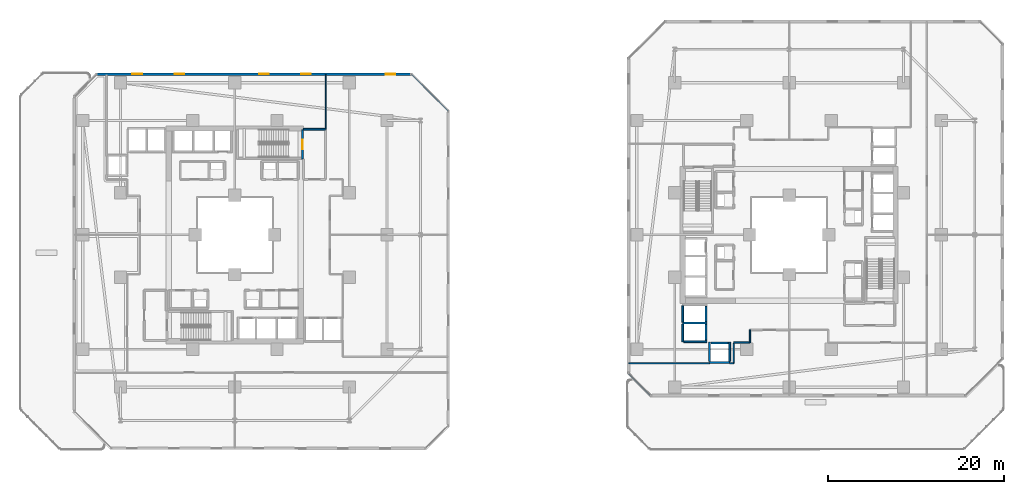
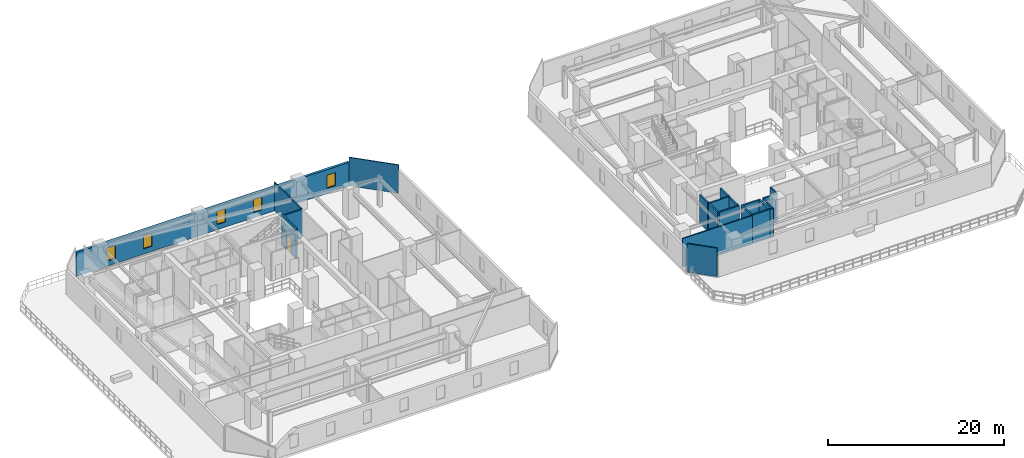
# One storey, part 22 of 33: 21 walls, 5 windows, 1 door, 6 openings.
"""IFC4 building model written with IfcOpenShell, lengths in metres."""

from ifc_helpers import new_model, si_unit, direction, frame, frame_2d, origin, place, context, subcontext, project, spatial, rectangle, extrude, material, layer, layer_set, type_object, element, fill, save


model = new_model("IFC4")

# Units and contexts
model_context = context("Model", 3, precision=1e-05, world=origin(), true_north=direction((0.0, 1.0)))
body_context = subcontext(model_context, "Body", "Model", "MODEL_VIEW")
ifc_project = project(units=[si_unit("LENGTHUNIT", "METRE"), si_unit("AREAUNIT", "SQUARE_METRE"), si_unit("VOLUMEUNIT", "CUBIC_METRE"), si_unit("PLANEANGLEUNIT", "RADIAN"), si_unit("MASSUNIT", "GRAM", prefix="KILO")], contexts=[model_context])

# Site, building, storey
site_placement = place(None, origin())
site = spatial("IfcSite", under=ifc_project, at=site_placement, CompositionType="ELEMENT")
building_placement = place(site_placement, origin())
building = spatial("IfcBuilding", under=site, at=building_placement, Name="Thornwick Lancets Civic Towers", CompositionType="ELEMENT")
storey_placement = place(building_placement, frame((0.0, 0.0, 49.5)))
storey = spatial("IfcBuildingStorey", under=building, at=storey_placement, Name="L12", CompositionType="ELEMENT", Elevation=49.5)

# Walls
ifc_material_1 = material(Name="Concrete blockwork C40/50", Category="masonry")
ifc_layer_1 = layer(ifc_material_1, 0.199951171875, Name="Concrete blockwork C40/50")
ifc_layer_set_1 = layer_set([ifc_layer_1], Name="Concrete blockwork C40/50")
wall_type_1 = type_object("IfcWallType", Name="WALL_COMP_200", PredefinedType="STANDARD", material=ifc_layer_set_1)
wall_1_placement = place(storey_placement, frame((79.050048828125, 17.1298828125, 0.0), z_axis=(0.0, 0.0, 1.0), x_axis=(0.0, 1.0, 0.0)))
element("IfcWall", 1, at=wall_1_placement, inside=storey, type_object=wall_type_1, Name="L12 Hoistway Front Wall PL-BM1", PredefinedType="STANDARD", context=body_context, shape_type="SweptSolid", body=[
    extrude(rectangle(XDim=1.740234375, YDim=0.199951171875, at=frame_2d((0.8701171875, 0.0))), origin(), (0.0, 0.0, 1.0), 3.93994140625),
])
wall_2_placement = place(storey_placement, frame((79.050048828125, 15.030029296875, 0.0), z_axis=(0.0, 0.0, 1.0), x_axis=(0.0, 1.0, 0.0)))
element("IfcWall", 2, at=wall_2_placement, inside=storey, type_object=wall_type_1, Name="L12 Hoistway Front Wall PL-BM2", PredefinedType="STANDARD", context=body_context, shape_type="SweptSolid", body=[
    extrude(rectangle(XDim=1.7900390625, YDim=0.199951171875, at=frame_2d((0.89501953125, 0.0))), origin(), (0.0, 0.0, 1.0), 3.93994140625),
])
wall_3_placement = place(storey_placement, frame((79.6298828125, 14.699951171875, 0.0), z_axis=(0.0, 0.0, 1.0), x_axis=(1.0, 0.0, 0.0)))
element("IfcWall", 3, at=wall_3_placement, inside=storey, type_object=wall_type_1, Name="L12 Hoistway Front Wall PL-BM3", PredefinedType="STANDARD", context=body_context, shape_type="SweptSolid", body=[
    extrude(rectangle(XDim=1.940185546875, YDim=0.199951171875, at=frame_2d((0.97021484375, 0.0))), origin(), (0.0, 0.0, 1.0), 3.93994140625),
])
wall_4_placement = place(storey_placement, frame((76.402099609375, 16.97509765625, 0.0), z_axis=(0.0, 0.0, 1.0), x_axis=(1.0, 0.0, 0.0)))
element("IfcWall", 4, at=wall_4_placement, inside=storey, type_object=wall_type_1, Name="L12 Hoistway Shaft Wall PL-BM1 S", PredefinedType="STANDARD", context=body_context, shape_type="SweptSolid", body=[
    extrude(rectangle(XDim=2.745849609375, YDim=0.199951171875, at=frame_2d((1.373046875, 0.0))), origin(), (0.0, 0.0, 1.0), 3.93994140625),
])
wall_5_placement = place(storey_placement, frame((76.39990234375, 14.85205078125, 0.0), z_axis=(0.0, 0.0, 1.0), x_axis=(0.0, 1.0, 0.0)))
element("IfcWall", 5, at=wall_5_placement, inside=storey, type_object=wall_type_1, Name="L12 Hoistway Shaft Wall PL-BM1 W", PredefinedType="STANDARD", context=body_context, shape_type="SweptSolid", body=[
    extrude(rectangle(XDim=2.015869140625, YDim=0.199951171875, at=frame_2d((1.0078125, 0.0))), origin(), (0.0, 0.0, 1.0), 3.93994140625),
])
wall_6_placement = place(storey_placement, frame((76.39990234375, 17.08203125, 0.0), z_axis=(0.0, 0.0, 1.0), x_axis=(0.0, 1.0, 0.0)))
element("IfcWall", 6, at=wall_6_placement, inside=storey, type_object=wall_type_1, Name="L12 Hoistway Shaft Wall PL-BM1 W", PredefinedType="STANDARD", context=body_context, shape_type="SweptSolid", body=[
    extrude(rectangle(XDim=1.85595703125, YDim=0.199951171875, at=frame_2d((0.927978515625, 0.0))), origin(), (0.0, 0.0, 1.0), 3.93994140625),
])
wall_7_placement = place(storey_placement, frame((76.511962890625, 14.85009765625, 0.0), z_axis=(0.0, 0.0, 1.0), x_axis=(1.0, 0.0, 0.0)))
element("IfcWall", 7, at=wall_7_placement, inside=storey, type_object=wall_type_1, Name="L12 Hoistway Shaft Wall PL-BM2 S", PredefinedType="STANDARD", context=body_context, shape_type="SweptSolid", body=[
    extrude(rectangle(XDim=2.635986328125, YDim=0.199951171875, at=frame_2d((1.31787109375, 0.0))), origin(), (0.0, 0.0, 1.0), 3.93994140625),
])
wall_8_placement = place(storey_placement, frame((79.451904296875, 12.5, 0.0), z_axis=(0.0, 0.0, 1.0), x_axis=(1.0, 0.0, 0.0)))
element("IfcWall", 8, at=wall_8_placement, inside=storey, type_object=wall_type_1, Name="L12 Hoistway Shaft Wall PL-BM3 S", PredefinedType="STANDARD", context=body_context, shape_type="SweptSolid", body=[
    extrude(rectangle(XDim=2.296142578125, YDim=0.199951171875, at=frame_2d((1.14794921875, 0.0))), origin(), (0.0, 0.0, 1.0), 3.93994140625),
])
for number, where, z_axis, x_axis, name in (
    (9, (81.75, 12.612060546875, 0.0), (0.0, 0.0, 1.0), (0.0, 1.0, 0.0), "L12 Hoistway Shaft Wall PL-BM3 E"),
    (10, (79.449951171875, 12.612060546875, 0.0), (0.0, 0.0, 1.0), (0.0, 1.0, 0.0), "L12 Hoistway Shaft Wall PL-BM3 W"),
):
    element("IfcWall", number, at=place(storey_placement, frame(where, z_axis=z_axis, x_axis=x_axis)), inside=storey, type_object=wall_type_1, Name=name, PredefinedType="STANDARD", context=body_context, shape_type="SweptSolid", body=[
        extrude(rectangle(XDim=2.18603515625, YDim=0.199951171875, at=frame_2d((1.093017578125, 0.0))), origin(), (0.0, 0.0, 1.0), 3.93994140625),
    ])
wall_9_placement = place(storey_placement, frame((35.800048828125, 39.0, 0.0), z_axis=(0.0, 0.0, 1.0), x_axis=(-1.0, 0.0, 0.0)))
element("IfcWall", 11, at=wall_9_placement, inside=storey, type_object=wall_type_1, Name="L12 Partition L12-A-FFLOB2 E3", PredefinedType="STANDARD", context=body_context, shape_type="SweptSolid", body=[
    extrude(rectangle(XDim=2.5, YDim=0.199951171875, at=frame_2d((1.25, 0.0))), origin(), (0.0, 0.0, 1.0), 3.93994140625),
])

# Wall, openings, windows
ifc_material_2 = material(Name="Insulated buff terracotta rainscreen on concrete C40/50", Category="masonry")
ifc_layer_2 = layer(ifc_material_2, 0.320068359375, Name="Insulated buff terracotta rainscreen on concrete C40/50")
ifc_layer_set_2 = layer_set([ifc_layer_2], Name="Insulated buff terracotta rainscreen on concrete C40/50")
wall_type_2 = type_object("IfcWallType", Name="WALL_EXT_TERRA_320", PredefinedType="STANDARD", material=ifc_layer_set_2)
wall_10_placement = place(storey_placement, frame((45.551513671875, 45.259521484375, 0.0), z_axis=(0.0, 0.0, 1.0), x_axis=(-0.999999988703, 0.000150313265, 0.0)))
wall_10 = element("IfcWall", 12, at=wall_10_placement, inside=storey, type_object=wall_type_2, Name="L12 Tower A Terracotta Facade Wall E4", PredefinedType="STANDARD", context=body_context, shape_type="SweptSolid", body=[
    extrude(rectangle(XDim=35.732666015625, YDim=0.320068359375, at=frame_2d((17.8662109375, 0.0))), origin(), (0.0, 0.0, 1.0), 3.300048828125),
])
opening_1_placement = place(wall_10_placement, frame((1.800048828125, 0.0, 0.719970703125)))
opening_1 = element("IfcOpeningElement", 13, at=opening_1_placement, cuts=wall_10, Name="Opening WL-02", PredefinedType="OPENING", context=body_context, shape_type="SweptSolid", body=[
    extrude(rectangle(XDim=1.10009765625, YDim=1.800048828125, at=frame_2d((0.550048828125, 0.89990234375))), frame((0.0, 0.169921875, 0.0), z_axis=(0.0, -1.0, 0.0), x_axis=(1.0, 0.0, 0.0)), (0.0, 0.0, 1.0), 0.340087890625),
])
opening_2_placement = place(wall_10_placement, frame((11.39990234375, 0.0, 0.719970703125)))
opening_2 = element("IfcOpeningElement", 14, at=opening_2_placement, cuts=wall_10, Name="Opening WL-02", PredefinedType="OPENING", context=body_context, shape_type="SweptSolid", body=[
    extrude(rectangle(XDim=1.10009765625, YDim=1.800048828125, at=frame_2d((0.550048828125, 0.89990234375))), frame((0.0, 0.169921875, 0.0), z_axis=(0.0, -1.0, 0.0), x_axis=(1.0, 0.0, 0.0)), (0.0, 0.0, 1.0), 0.340087890625),
])
opening_3_placement = place(wall_10_placement, frame((16.199951171875, 0.0, 0.719970703125)))
opening_3 = element("IfcOpeningElement", 15, at=opening_3_placement, cuts=wall_10, Name="Opening WL-02", PredefinedType="OPENING", context=body_context, shape_type="SweptSolid", body=[
    extrude(rectangle(XDim=1.10009765625, YDim=1.800048828125, at=frame_2d((0.550048828125, 0.89990234375))), frame((0.0, 0.169921875, 0.0), z_axis=(0.0, -1.0, 0.0), x_axis=(1.0, 0.0, 0.0)), (0.0, 0.0, 1.0), 0.340087890625),
])
opening_4_placement = place(wall_10_placement, frame((25.800048828125, 0.0, 0.719970703125)))
opening_4 = element("IfcOpeningElement", 16, at=opening_4_placement, cuts=wall_10, Name="Opening WL-02", PredefinedType="OPENING", context=body_context, shape_type="SweptSolid", body=[
    extrude(rectangle(XDim=1.10009765625, YDim=1.800048828125, at=frame_2d((0.550048828125, 0.89990234375))), frame((0.0, 0.169921875, 0.0), z_axis=(0.0, -1.0, 0.0), x_axis=(1.0, 0.0, 0.0)), (0.0, 0.0, 1.0), 0.340087890625),
])
opening_5_placement = place(wall_10_placement, frame((30.60009765625, 0.0, 0.719970703125)))
opening_5 = element("IfcOpeningElement", 17, at=opening_5_placement, cuts=wall_10, Name="Opening WL-02", PredefinedType="OPENING", context=body_context, shape_type="SweptSolid", body=[
    extrude(rectangle(XDim=1.10009765625, YDim=1.800048828125, at=frame_2d((0.550048828125, 0.89990234375))), frame((0.0, 0.169921875, 0.0), z_axis=(0.0, -1.0, 0.0), x_axis=(1.0, 0.0, 0.0)), (0.0, 0.0, 1.0), 0.340087890625),
])
ifc_material_3 = material(Name="Clear low-e double glazing in bronze frame", Category="glass")
window_type = type_object("IfcWindowType", Name="WIN_LANCET_1100", PartitioningType="SINGLE_PANEL", PredefinedType="WINDOW", material=ifc_material_3)
window_1_placement = place(opening_1_placement, origin())
window_1 = element("IfcWindow", 18, at=window_1_placement, inside=storey, type_object=window_type, Name="L12 Tower A Staggered Lancet Window E4-1", OverallHeight=1.800048828125, OverallWidth=1.10009765625, PartitioningType="SINGLE_PANEL", PredefinedType="WINDOW", context=body_context, shape_type="SweptSolid", body=[
    extrude(rectangle(XDim=1.10009765625, YDim=1.800048828125, at=frame_2d((0.550048828125, 0.89990234375))), frame((0.0, 0.030029296875, 0.0), z_axis=(0.0, -1.0, 0.0), x_axis=(1.0, 0.0, 0.0)), (0.0, 0.0, 1.0), 0.06005859375),
])
fill(opening_1, window_1)
window_2_placement = place(opening_2_placement, origin())
window_2 = element("IfcWindow", 19, at=window_2_placement, inside=storey, type_object=window_type, Name="L12 Tower A Staggered Lancet Window E4-2", OverallHeight=1.800048828125, OverallWidth=1.10009765625, PartitioningType="SINGLE_PANEL", PredefinedType="WINDOW", context=body_context, shape_type="SweptSolid", body=[
    extrude(rectangle(XDim=1.10009765625, YDim=1.800048828125, at=frame_2d((0.550048828125, 0.89990234375))), frame((0.0, 0.030029296875, 0.0), z_axis=(0.0, -1.0, 0.0), x_axis=(1.0, 0.0, 0.0)), (0.0, 0.0, 1.0), 0.06005859375),
])
fill(opening_2, window_2)
window_3_placement = place(opening_3_placement, origin())
window_3 = element("IfcWindow", 20, at=window_3_placement, inside=storey, type_object=window_type, Name="L12 Tower A Staggered Lancet Window E4-3", OverallHeight=1.800048828125, OverallWidth=1.10009765625, PartitioningType="SINGLE_PANEL", PredefinedType="WINDOW", context=body_context, shape_type="SweptSolid", body=[
    extrude(rectangle(XDim=1.10009765625, YDim=1.800048828125, at=frame_2d((0.550048828125, 0.89990234375))), frame((0.0, 0.030029296875, 0.0), z_axis=(0.0, -1.0, 0.0), x_axis=(1.0, 0.0, 0.0)), (0.0, 0.0, 1.0), 0.06005859375),
])
fill(opening_3, window_3)
window_4_placement = place(opening_4_placement, origin())
window_4 = element("IfcWindow", 21, at=window_4_placement, inside=storey, type_object=window_type, Name="L12 Tower A Staggered Lancet Window E4-4", OverallHeight=1.800048828125, OverallWidth=1.10009765625, PartitioningType="SINGLE_PANEL", PredefinedType="WINDOW", context=body_context, shape_type="SweptSolid", body=[
    extrude(rectangle(XDim=1.10009765625, YDim=1.800048828125, at=frame_2d((0.550048828125, 0.89990234375))), frame((0.0, 0.030029296875, 0.0), z_axis=(0.0, -1.0, 0.0), x_axis=(1.0, 0.0, 0.0)), (0.0, 0.0, 1.0), 0.06005859375),
])
fill(opening_4, window_4)
window_5_placement = place(opening_5_placement, origin())
window_5 = element("IfcWindow", 22, at=window_5_placement, inside=storey, type_object=window_type, Name="L12 Tower A Staggered Lancet Window E4-5", OverallHeight=1.800048828125, OverallWidth=1.10009765625, PartitioningType="SINGLE_PANEL", PredefinedType="WINDOW", context=body_context, shape_type="SweptSolid", body=[
    extrude(rectangle(XDim=1.10009765625, YDim=1.800048828125, at=frame_2d((0.550048828125, 0.89990234375))), frame((0.0, 0.030029296875, 0.0), z_axis=(0.0, -1.0, 0.0), x_axis=(1.0, 0.0, 0.0)), (0.0, 0.0, 1.0), 0.06005859375),
])
fill(opening_5, window_5)

# Walls
ifc_material_4 = material(Name="Acoustic gypsum board partition")
ifc_layer_3 = layer(ifc_material_4, 0.1201171875, Name="Acoustic gypsum board partition")
ifc_layer_set_3 = layer_set([ifc_layer_3], Name="Acoustic gypsum board partition")
wall_type_3 = type_object("IfcWallType", Name="WALL_PART_120", PredefinedType="PARTITIONING", material=ifc_layer_set_3)
wall_11_placement = place(storey_placement, frame((35.85009765625, 39.0, 0.0), z_axis=(0.0, 0.0, 1.0), x_axis=(0.0, 1.0, 0.0)))
element("IfcWall", 23, at=wall_11_placement, inside=storey, type_object=wall_type_3, Name="L12 Partition L12-A-E2 E5", PredefinedType="PARTITIONING", context=body_context, shape_type="SweptSolid", body=[
    extrude(rectangle(XDim=6.219970703125, YDim=0.1201171875, at=frame_2d((3.10986328125, 0.0))), origin(), (0.0, 0.0, 1.0), 3.93994140625),
])
wall_12_placement = place(storey_placement, frame((45.58935546875, 45.219970703125, 0.0), z_axis=(0.0, 0.0, 1.0), x_axis=(0.707106781187, -0.707106781187, 0.0)))
element("IfcWall", 24, at=wall_12_placement, inside=storey, type_object=wall_type_3, Name="L12 Partition L12-A-E2 E7", PredefinedType="PARTITIONING", context=body_context, shape_type="SweptSolid", body=[
    extrude(rectangle(XDim=5.841552734375, YDim=0.1201171875, at=frame_2d((2.9208984375, 0.0))), origin(), (0.0, 0.0, 1.0), 3.93994140625),
])
ifc_material_5 = material(Name="Twin-stud acoustic gypsum board")
ifc_layer_4 = layer(ifc_material_5, 0.14990234375, Name="Twin-stud acoustic gypsum board")
ifc_layer_set_4 = layer_set([ifc_layer_4], Name="Twin-stud acoustic gypsum board")
wall_type_4 = type_object("IfcWallType", Name="WALL_PART_150", PredefinedType="PARTITIONING", material=ifc_layer_set_4)
wall_13_placement = place(storey_placement, frame((82.199951171875, 14.75, 0.0), z_axis=(0.0, 0.0, 1.0), x_axis=(1.0, 0.0, 0.0)))
element("IfcWall", 25, at=wall_13_placement, inside=storey, type_object=wall_type_4, Name="L12 Partition L12-B-W2 E2", PredefinedType="PARTITIONING", context=body_context, shape_type="SweptSolid", body=[
    extrude(rectangle(XDim=1.85009765625, YDim=0.14990234375, at=frame_2d((0.925048828125, 0.0))), origin(), (0.0, 0.0, 1.0), 3.93994140625),
])
wall_14_placement = place(storey_placement, frame((84.050048828125, 14.75, 0.0), z_axis=(0.0, 0.0, 1.0), x_axis=(0.0, 1.0, 0.0)))
element("IfcWall", 26, at=wall_14_placement, inside=storey, type_object=wall_type_4, Name="L12 Partition L12-B-W2 E3", PredefinedType="PARTITIONING", context=body_context, shape_type="SweptSolid", body=[
    extrude(rectangle(XDim=1.449951171875, YDim=0.14990234375, at=frame_2d((0.72509765625, 0.0))), origin(), (0.0, 0.0, 1.0), 3.93994140625),
])
wall_15_placement = place(storey_placement, frame((72.774658203125, 8.780029296875, 0.0), z_axis=(0.0, 0.0, 1.0), x_axis=(-0.707106781187, 0.707106781187, 0.0)))
element("IfcWall", 27, at=wall_15_placement, inside=storey, type_object=wall_type_4, Name="L12 Partition L12-B-W2 E7", PredefinedType="PARTITIONING", context=body_context, shape_type="SweptSolid", body=[
    extrude(rectangle(XDim=3.52783203125, YDim=0.14990234375, at=frame_2d((1.763916015625, 0.0))), origin(), (0.0, 0.0, 1.0), 3.93994140625),
])
wall_16_placement = place(storey_placement, frame((70.280029296875, 12.39990234375, 0.0), z_axis=(0.0, 0.0, 1.0), x_axis=(1.0, 0.0, 0.0)))
element("IfcWall", 28, at=wall_16_placement, inside=storey, type_object=wall_type_4, Name="L12 Partition L12-B-W2 E9", PredefinedType="PARTITIONING", context=body_context, shape_type="SweptSolid", body=[
    extrude(rectangle(XDim=9.171875, YDim=0.14990234375, at=frame_2d((4.5859375, 0.0))), origin(), (0.0, 0.0, 1.0), 3.93994140625),
])
wall_17_placement = place(storey_placement, frame((81.748046875, 12.39990234375, 0.0), z_axis=(0.0, 0.0, 1.0), x_axis=(1.0, 0.0, 0.0)))
element("IfcWall", 29, at=wall_17_placement, inside=storey, type_object=wall_type_4, Name="L12 Partition L12-B-W2 E9", PredefinedType="PARTITIONING", context=body_context, shape_type="SweptSolid", body=[
    extrude(rectangle(XDim=0.451904296875, YDim=0.14990234375, at=frame_2d((0.22607421875, 0.0))), origin(), (0.0, 0.0, 1.0), 3.93994140625),
])
wall_18_placement = place(storey_placement, frame((82.199951171875, 12.39990234375, 0.0), z_axis=(0.0, 0.0, 1.0), x_axis=(0.0, 1.0, 0.0)))
element("IfcWall", 30, at=wall_18_placement, inside=storey, type_object=wall_type_4, Name="L12 Partition L12-B-W2 E10", PredefinedType="PARTITIONING", context=body_context, shape_type="SweptSolid", body=[
    extrude(rectangle(XDim=2.300048828125, YDim=0.14990234375, at=frame_2d((1.14990234375, 0.0))), origin(), (0.0, 0.0, 1.0), 3.93994140625),
])

# Wall, opening, door
ifc_material_6 = material(Name="Concrete C40/50", Category="concrete")
ifc_layer_5 = layer(ifc_material_6, 0.199951171875, Name="Concrete C40/50")
ifc_layer_set_5 = layer_set([ifc_layer_5], Name="Concrete C40/50")
wall_type_5 = type_object("IfcWallType", Name="WALL_SHAFT_200", PredefinedType="SHEAR", material=ifc_layer_set_5)
wall_19_placement = place(storey_placement, frame((33.199951171875, 38.949951171875, 0.0), z_axis=(0.0, 0.0, 1.0), x_axis=(0.0, -1.0, 0.0)))
wall_19 = element("IfcWall", 31, at=wall_19_placement, inside=storey, type_object=wall_type_5, Name="L12 ST-A2 Fire Stair Core Wall NEAR", PredefinedType="SHEAR", context=body_context, shape_type="SweptSolid", body=[
    extrude(rectangle(XDim=3.349853515625, YDim=0.199951171875, at=frame_2d((1.6748046875, 0.0))), origin(), (0.0, 0.0, 1.0), 4.199951171875),
])
opening_6_placement = place(wall_19_placement, frame((1.125, 0.0, 0.0)))
opening_6 = element("IfcOpeningElement", 32, at=opening_6_placement, cuts=wall_19, Name="Opening D-ST-A2-L12", PredefinedType="OPENING", context=body_context, shape_type="SweptSolid", body=[
    extrude(rectangle(XDim=1.10009765625, YDim=2.10009765625, at=frame_2d((0.550048828125, 1.050048828125))), frame((0.0, 0.10986328125, 0.0), z_axis=(0.0, -1.0, 0.0), x_axis=(1.0, 0.0, 0.0)), (0.0, 0.0, 1.0), 0.219970703125),
])
ifc_material_7 = material(Name="Fire-resisting steel and hardwood", Category="steel")
door_type = type_object("IfcDoorType", Name="DOOR_STAIR_FD60", OperationType="NOTDEFINED", PredefinedType="DOOR", material=ifc_material_7)
door_placement = place(opening_6_placement, origin())
door = element("IfcDoor", 33, at=door_placement, inside=storey, type_object=door_type, Name="L12 ST-A2 Exit Stair Door", OperationType="SINGLE_SWING_LEFT", OverallHeight=2.10009765625, OverallWidth=1.10009765625, PredefinedType="DOOR", context=body_context, shape_type="SweptSolid", body=[
    extrude(rectangle(XDim=1.10009765625, YDim=2.10009765625, at=frame_2d((0.550048828125, 1.050048828125))), frame((0.0, 0.02490234375, 0.0), z_axis=(0.0, -1.0, 0.0), x_axis=(1.0, 0.0, 0.0)), (0.0, 0.0, 1.0), 0.050048828125),
])
fill(opening_6, door)

save(model, "model.ifc")
